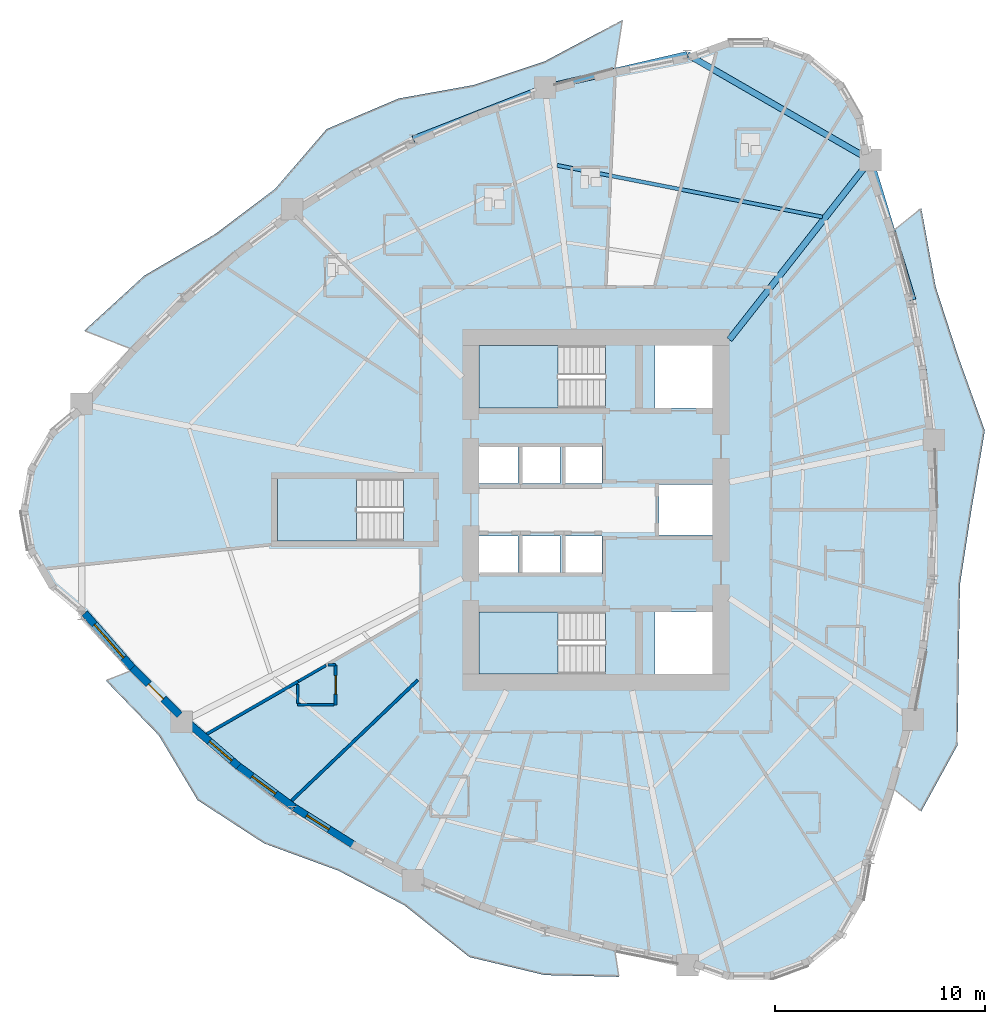
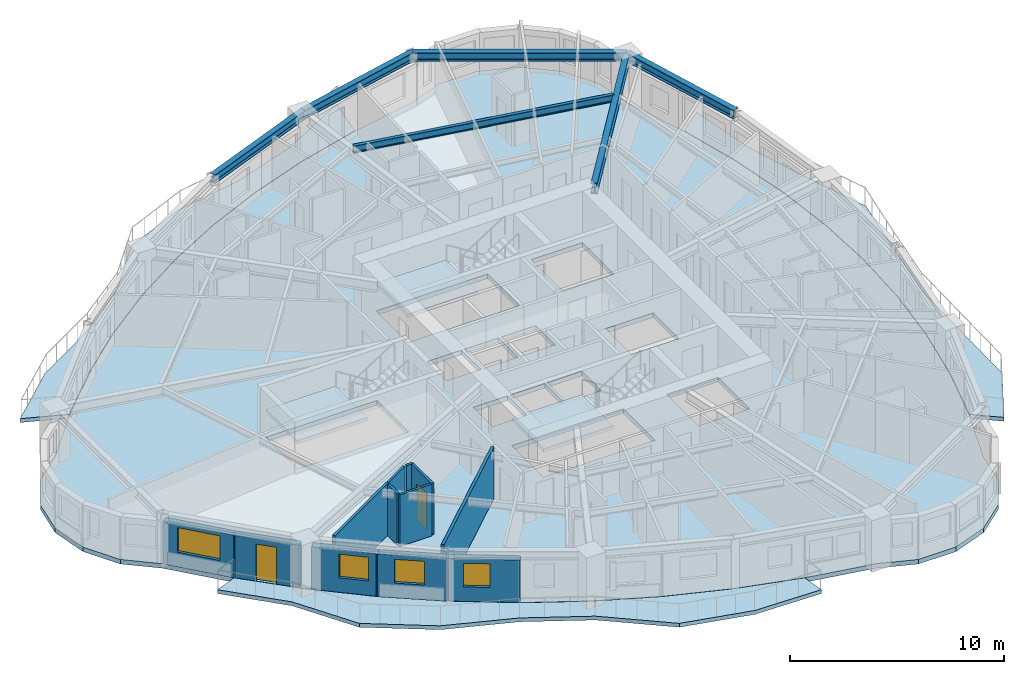
# One storey, part 2 of 14: 12 walls, 7 slabs, 6 beams, 4 windows, 2 doors, 6 openings, 3 elements without a shape of their own.
"""IFC4 building model written with IfcOpenShell, lengths in metres."""

from ifc_helpers import new_model, si_unit, direction, frame, frame_2d, origin, origin_2d, place, context, subcontext, project, spatial, polyline, rectangle, i_section, outline, extrude, source, transform, mapped, material, layer, layer_set, material_profile, profile_set, type_object, element, fill, aggregate, save


model = new_model("IFC4")

# Units and contexts
model_context = context("Model", 3, precision=1e-05, world=origin(), true_north=direction((0.0, 1.0)))
body_context = subcontext(model_context, "Body", "Model", "MODEL_VIEW")
ifc_project = project(units=[si_unit("LENGTHUNIT", "METRE"), si_unit("AREAUNIT", "SQUARE_METRE"), si_unit("VOLUMEUNIT", "CUBIC_METRE"), si_unit("PLANEANGLEUNIT", "RADIAN"), si_unit("MASSUNIT", "GRAM", prefix="KILO")], contexts=[model_context])

# Site, building, storey
site_placement = place(None, origin())
site = spatial("IfcSite", under=ifc_project, at=site_placement, CompositionType="ELEMENT")
building_placement = place(site_placement, origin())
building = spatial("IfcBuilding", under=site, at=building_placement, Name="Qafzar Sky-Pleat Residences", CompositionType="ELEMENT")
storey_placement = place(building_placement, frame((0.0, 0.0, 11.0)))
storey = spatial("IfcBuildingStorey", under=building, at=storey_placement, Name="L02", CompositionType="ELEMENT", Elevation=11.0)

# Beams
ifc_material_1 = material(Name="Steel S355", Category="steel")
ifc_material_profile_1 = material_profile(ifc_material_1, i_section(OverallWidth=0.300048828125, OverallDepth=0.5, WebThickness=0.014404296875, FlangeThickness=0.028076171875, FilletRadius=0.027099609375, at=origin_2d()), Name="HEB 500")
ifc_profile_set_1 = profile_set([ifc_material_profile_1], Name="Steel S355")
beam_type_1 = type_object("IfcBeamType", Name="BM-SPAN-HEB500", PredefinedType="SPANDREL", material=ifc_profile_set_1)
shared_shape_1 = source(origin(), body_context, "Body", "SweptSolid", [
    extrude(i_section(OverallWidth=0.300048828125, OverallDepth=0.5, WebThickness=0.014404296875, FlangeThickness=0.028076171875, FilletRadius=0.027099609375, at=origin_2d()), origin(), (0.0, 0.0, 1.0), 10.0458984375),
])
beam_1_placement = place(storey_placement, frame((43.39990234375, 42.627685546875, 2.68798828125), z_axis=(-0.866024107753, 0.500002244785, 0.0), x_axis=(-0.500002244785, -0.866024107753, 0.0)))
element("IfcBeam", 1, at=beam_1_placement, inside=storey, type_object=beam_type_1, Name="L02 Perimeter Spandrel Beam 13", PredefinedType="SPANDREL", context=body_context, shape_type="MappedRepresentation", body=[
    mapped(shared_shape_1, transform((0.0, 0.0, 0.0), x_axis=(1.0, 0.0, 0.0), y_axis=(0.0, 1.0, 0.0), z_axis=(0.0, 0.0, 1.0), scale=1.0)),
])
shared_shape_2 = source(origin(), body_context, "Body", "SweptSolid", [
    extrude(i_section(OverallWidth=0.300048828125, OverallDepth=0.5, WebThickness=0.014404296875, FlangeThickness=0.028076171875, FilletRadius=0.027099609375, at=origin_2d()), origin(), (0.0, 0.0, 1.0), 6.95166015625),
])
for number, where, z_axis, x_axis, name in (
    (2, (45.421875, 35.9765625, 2.68798828125), (-0.290861139852, 0.956765278072, 0.0), (-0.956765278072, -0.290861139852, 0.0), "L02 Perimeter Spandrel Beam 12"),
    (3, (34.699951171875, 47.650634765625, 2.68798828125), (-0.974013973113, -0.226487925024, 0.0), (0.226487925024, -0.974013973113, 0.0), "L02 Perimeter Spandrel Beam 14"),
):
    element("IfcBeam", number, at=place(storey_placement, frame(where, z_axis=z_axis, x_axis=x_axis)), inside=storey, type_object=beam_type_1, Name=name, PredefinedType="SPANDREL", context=body_context, shape_type="MappedRepresentation", body=[
        mapped(shared_shape_2, transform((0.0, 0.0, 0.0), x_axis=(1.0, 0.0, 0.0), y_axis=(0.0, 1.0, 0.0), z_axis=(0.0, 0.0, 1.0), scale=1.0)),
    ])
shared_shape_3 = source(origin(), body_context, "Body", "SweptSolid", [
    extrude(i_section(OverallWidth=0.300048828125, OverallDepth=0.5, WebThickness=0.014404296875, FlangeThickness=0.028076171875, FilletRadius=0.027099609375, at=origin_2d()), origin(), (0.0, 0.0, 1.0), 6.727294921875),
])
beam_2_placement = place(storey_placement, frame((27.928955078125, 46.076171875, 2.68798828125), z_axis=(-0.931329494162, -0.364177667222, 0.0), x_axis=(0.364177667222, -0.931329494162, 0.0)))
element("IfcBeam", 4, at=beam_2_placement, inside=storey, type_object=beam_type_1, Name="L02 Perimeter Spandrel Beam 15", PredefinedType="SPANDREL", context=body_context, shape_type="MappedRepresentation", body=[
    mapped(shared_shape_3, transform((0.0, 0.0, 0.0), x_axis=(1.0, 0.0, 0.0), y_axis=(0.0, 1.0, 0.0), z_axis=(0.0, 0.0, 1.0), scale=1.0)),
])
ifc_material_profile_2 = material_profile(ifc_material_1, i_section(OverallWidth=0.300048828125, OverallDepth=0.60009765625, WebThickness=0.015380859375, FlangeThickness=0.030029296875, FilletRadius=0.027099609375, at=origin_2d()), Name="HEB 600")
ifc_profile_set_2 = profile_set([ifc_material_profile_2], Name="Steel S355")
beam_type_2 = type_object("IfcBeamType", Name="BM-GIRD-HEB600", PredefinedType="BEAM", material=ifc_profile_set_2)
shared_shape_4 = source(origin(), body_context, "Body", "SweptSolid", [
    extrude(i_section(OverallWidth=0.300048828125, OverallDepth=0.60009765625, WebThickness=0.015380859375, FlangeThickness=0.030029296875, FilletRadius=0.027099609375, at=origin_2d()), origin(), (0.0, 0.0, 1.0), 10.85205078125),
])
beam_3_placement = place(storey_placement, frame((43.39990234375, 42.627685546875, 2.637939453125), z_axis=(-0.617389257857, -0.786657806344, 0.0), x_axis=(0.786657806344, -0.617389257857, 0.0)))
element("IfcBeam", 5, at=beam_3_placement, inside=storey, type_object=beam_type_2, Name="L02 Radial Floor Girder 13", PredefinedType="BEAM", context=body_context, shape_type="MappedRepresentation", body=[
    mapped(shared_shape_4, transform((0.0, 0.0, 0.0), x_axis=(1.0, 0.0, 0.0), y_axis=(0.0, 1.0, 0.0), z_axis=(0.0, 0.0, 1.0), scale=1.0)),
])
ifc_material_profile_3 = material_profile(ifc_material_1, i_section(OverallWidth=0.179931640625, OverallDepth=0.39990234375, WebThickness=0.008544921875, FlangeThickness=0.013427734375, FilletRadius=0.02099609375, at=origin_2d()), Name="IPE 400")
ifc_profile_set_3 = profile_set([ifc_material_profile_3], Name="Steel S355")
beam_type_3 = type_object("IfcBeamType", Name="BM-JST-IPE400", PredefinedType="JOIST", material=ifc_profile_set_3)
shared_shape_5 = source(origin(), body_context, "Body", "SweptSolid", [
    extrude(i_section(OverallWidth=0.179931640625, OverallDepth=0.39990234375, WebThickness=0.008544921875, FlangeThickness=0.013427734375, FilletRadius=0.02099609375, at=origin_2d()), origin(), (0.0, 0.0, 1.0), 12.85595703125),
])
beam_4_placement = place(storey_placement, frame((41.12353515625, 39.921630859375, 2.738037109375), z_axis=(-0.981577813366, 0.191062807233, 0.0), x_axis=(-0.191062807233, -0.981577813366, 0.0)))
element("IfcBeam", 6, at=beam_4_placement, inside=storey, type_object=beam_type_3, Name="L02 Outer Secondary Floor Joist 7", PredefinedType="JOIST", context=body_context, shape_type="MappedRepresentation", body=[
    mapped(shared_shape_5, transform((0.0, 0.0, 0.0), x_axis=(1.0, 0.0, 0.0), y_axis=(0.0, 1.0, 0.0), z_axis=(0.0, 0.0, 1.0), scale=1.0)),
])

# Slabs
ifc_material_2 = material(Name="Concrete C40/50", Category="concrete")
ifc_layer_1 = layer(ifc_material_2, 0.219970703125)
ifc_layer_set_1 = layer_set([ifc_layer_1], Name="Concrete C40/50")
slab_type_1 = type_object("IfcSlabType", Name="SLAB-BAL-220", PredefinedType="USERDEFINED", material=ifc_layer_set_1)
slab_1_placement = place(storey_placement, frame((0.0, 0.0, -0.219970703125)))
element("IfcSlab", 7, at=slab_1_placement, inside=storey, type_object=slab_type_1, Name="L02 Pleated Stone Balcony 1", ObjectType="BALCONY", PredefinedType="USERDEFINED", context=body_context, shape_type="SweptSolid", body=[
    extrude(outline(polyline([(45.432373046875, 16.017333984375), (46.065185546875, 19.3447265625), (46.444580078125, 22.67236328125), (46.5712890625, 26.0), (46.444580078125, 29.32763671875), (46.065185546875, 32.6552734375), (45.432373046875, 35.982666015625), (44.546630859375, 39.309814453125), (45.822998046875, 40.33642578125), (46.506591796875, 36.597900390625), (47.60205078125, 33.221435546875), (48.843994140625, 29.760498046875), (48.209228515625, 26.0), (47.6630859375, 22.45263671875), (47.60205078125, 18.778564453125), (47.548095703125, 14.805908203125), (45.822998046875, 11.66357421875), (44.546630859375, 12.690185546875), (45.432373046875, 16.017333984375)])), origin(), (0.0, 0.0, 1.0), 0.219970703125),
])
slab_2_placement = place(storey_placement, frame((0.0, 0.0, -0.219970703125)))
element("IfcSlab", 8, at=slab_2_placement, inside=storey, type_object=slab_type_1, Name="L02 Pleated Stone Balcony 2", ObjectType="BALCONY", PredefinedType="USERDEFINED", context=body_context, shape_type="SweptSolid", body=[
    extrude(outline(polyline([(27.928955078125, 46.088134765625), (24.731201171875, 44.972412109375), (21.659423828125, 43.637451171875), (18.71435546875, 42.083251953125), (15.89599609375, 40.309814453125), (13.203857421875, 38.317138671875), (10.638671875, 36.10546875), (8.2001953125, 33.675048828125), (6.02685546875, 34.517578125), (8.877197265625, 37.130859375), (12.25244140625, 39.109130859375), (15.09619140625, 41.2548828125), (17.549072265625, 44.101806640625), (20.97021484375, 45.55517578125), (24.52099609375, 46.1923828125), (27.924560546875, 47.326171875), (31.610107421875, 49.2880859375), (31.253173828125, 46.984619140625), (27.928955078125, 46.088134765625)])), origin(), (0.0, 0.0, 1.0), 0.219970703125),
])
slab_3_placement = place(storey_placement, frame((0.0, 0.0, -0.219970703125)))
element("IfcSlab", 9, at=slab_3_placement, inside=storey, type_object=slab_type_1, Name="L02 Pleated Stone Balcony 3", ObjectType="BALCONY", PredefinedType="USERDEFINED", context=body_context, shape_type="SweptSolid", body=[
    extrude(outline(polyline([(10.638671875, 15.89453125), (13.203857421875, 13.682861328125), (15.89599609375, 11.690185546875), (18.71435546875, 9.916748046875), (21.659423828125, 8.362548828125), (24.731201171875, 7.027587890625), (27.928955078125, 5.911865234375), (31.253173828125, 5.015380859375), (31.44287109375, 3.7919921875), (27.921875, 3.873779296875), (24.335205078125, 4.730712890625), (21.24072265625, 7.197509765625), (18.095458984375, 8.8447265625), (14.57958984375, 10.13427734375), (11.41259765625, 12.191650390625), (9.568603515625, 15.271728515625), (7.0458984375, 17.87744140625), (8.2001953125, 18.324951171875), (10.638671875, 15.89453125)])), origin(), (0.0, 0.0, 1.0), 0.219970703125),
])
ifc_layer_2 = layer(ifc_material_2, 0.260009765625)
ifc_layer_set_2 = layer_set([ifc_layer_2], Name="Concrete C40/50")
slab_type_2 = type_object("IfcSlabType", Name="SLAB-FLR-260", PredefinedType="FLOOR", material=ifc_layer_set_2)
slab_4_placement = place(storey_placement, frame((0.0, 0.0, -0.260009765625)))
element("IfcSlab", 10, at=slab_4_placement, inside=storey, type_object=slab_type_2, Name="L02 Structural Floor Slab", PredefinedType="FLOOR", context=body_context, shape_type="SweptSolid", body=[
    extrude(outline(polyline([(5.89990234375, 31.02294921875), (4.35693359375, 29.728271484375), (3.349853515625, 27.983642578125), (3.0, 26.0), (3.349853515625, 24.016357421875), (4.35693359375, 22.271728515625), (5.89990234375, 20.97705078125), (8.211181640625, 18.329345703125), (10.64892578125, 15.900390625), (13.213134765625, 13.6904296875), (15.903564453125, 11.699462890625), (18.720458984375, 9.92724609375), (21.66357421875, 8.373779296875), (24.733154296875, 7.039306640625), (27.928955078125, 5.923828125), (31.251220703125, 5.027099609375), (34.699951171875, 4.349365234375), (36.5927734375, 3.660400390625), (38.607177734375, 3.660400390625), (40.5, 4.349365234375), (42.043212890625, 5.64404296875), (43.05029296875, 7.388671875), (43.39990234375, 9.372314453125), (44.537353515625, 12.69775390625), (45.421875, 16.0234375), (46.0537109375, 19.348876953125), (46.432861328125, 22.674560546875), (46.559326171875, 26.0), (46.432861328125, 29.325439453125), (46.0537109375, 32.651123046875), (45.421875, 35.9765625), (44.537353515625, 39.30224609375), (43.39990234375, 42.627685546875), (43.05029296875, 44.611328125), (42.043212890625, 46.35595703125), (40.5, 47.650634765625), (38.607177734375, 48.339599609375), (36.5927734375, 48.339599609375), (34.699951171875, 47.650634765625), (31.251220703125, 46.972900390625), (27.928955078125, 46.076171875), (24.733154296875, 44.960693359375), (21.66357421875, 43.626220703125), (18.720458984375, 42.07275390625), (15.903564453125, 40.300537109375), (13.213134765625, 38.3095703125), (10.64892578125, 36.099609375), (8.211181640625, 33.670654296875), (5.89990234375, 31.02294921875)]), holes=[polyline([(30.797119140625, 21.14990234375), (24.800048828125, 21.14990234375), (24.800048828125, 18.199951171875), (30.797119140625, 18.199951171875), (30.797119140625, 21.14990234375)]), polyline([(30.797119140625, 33.800048828125), (24.800048828125, 33.800048828125), (24.800048828125, 30.85009765625), (30.797119140625, 30.85009765625), (30.797119140625, 33.800048828125)]), polyline([(21.197021484375, 27.47509765625), (15.199951171875, 27.47509765625), (15.199951171875, 24.52490234375), (21.197021484375, 24.52490234375), (21.197021484375, 27.47509765625)]), polyline([(24.800048828125, 22.949951171875), (26.64990234375, 22.949951171875), (26.64990234375, 24.75), (24.800048828125, 24.75), (24.800048828125, 22.949951171875)]), polyline([(26.800048828125, 22.949951171875), (28.64990234375, 22.949951171875), (28.64990234375, 24.75), (26.800048828125, 24.75), (26.800048828125, 22.949951171875)]), polyline([(28.800048828125, 22.949951171875), (30.64990234375, 22.949951171875), (30.64990234375, 24.75), (28.800048828125, 24.75), (28.800048828125, 22.949951171875)]), polyline([(24.800048828125, 27.25), (26.64990234375, 27.25), (26.64990234375, 29.050048828125), (24.800048828125, 29.050048828125), (24.800048828125, 27.25)]), polyline([(26.800048828125, 27.25), (28.64990234375, 27.25), (28.64990234375, 29.050048828125), (26.800048828125, 29.050048828125), (26.800048828125, 27.25)]), polyline([(28.800048828125, 27.25), (30.64990234375, 27.25), (30.64990234375, 29.050048828125), (28.800048828125, 29.050048828125), (28.800048828125, 27.25)]), polyline([(33.14990234375, 18.199951171875), (35.89990234375, 18.199951171875), (35.89990234375, 21.14990234375), (33.14990234375, 21.14990234375), (33.14990234375, 18.199951171875)]), polyline([(33.14990234375, 30.85009765625), (35.89990234375, 30.85009765625), (35.89990234375, 33.800048828125), (33.14990234375, 33.800048828125), (33.14990234375, 30.85009765625)]), polyline([(33.35009765625, 24.800048828125), (35.89990234375, 24.800048828125), (35.89990234375, 27.199951171875), (33.35009765625, 27.199951171875), (33.35009765625, 24.800048828125)])]), origin(), (0.0, 0.0, 1.0), 0.260009765625),
])

# Stair, slab
stair_type = type_object("IfcStairType", Name="STAIR-H320", PredefinedType="HALF_TURN_STAIR", material=ifc_material_2)
stair_1_placement = place(storey_placement, origin())
stair_1 = element("IfcStair", 11, at=stair_1_placement, inside=storey, type_object=stair_type, Name="L02 Protected Exit Stair ST1", PredefinedType="HALF_TURN_STAIR")
ifc_layer_3 = layer(ifc_material_2, 0.199951171875)
ifc_layer_set_3 = layer_set([ifc_layer_3], Name="Concrete C40/50")
slab_type_3 = type_object("IfcSlabType", Name="SLAB-LANDING-200", PredefinedType="LANDING", material=ifc_layer_set_3)
slab_5_placement = place(storey_placement, frame((0.0, 0.0, 1.39990234375)))
slab_5 = element("IfcSlab", 12, at=slab_5_placement, type_object=slab_type_3, Name="ST1 landing 1", PredefinedType="LANDING", context=body_context, shape_type="SweptSolid", body=[
    extrude(outline(polyline([(28.56005859375, 21.14990234375), (24.800048828125, 21.14990234375), (24.800048828125, 18.199951171875), (28.56005859375, 18.199951171875), (28.56005859375, 21.14990234375)])), origin(), (0.0, 0.0, 1.0), 0.2001953125),
])
aggregate(stair_1, [slab_5])

stair_2_placement = place(storey_placement, origin())
stair_2 = element("IfcStair", 13, at=stair_2_placement, inside=storey, type_object=stair_type, Name="L02 Protected Exit Stair ST2", PredefinedType="HALF_TURN_STAIR")
slab_6_placement = place(storey_placement, frame((0.0, 0.0, 1.39990234375)))
slab_6 = element("IfcSlab", 14, at=slab_6_placement, type_object=slab_type_3, Name="ST2 landing 1", PredefinedType="LANDING", context=body_context, shape_type="SweptSolid", body=[
    extrude(outline(polyline([(28.56005859375, 33.800048828125), (24.800048828125, 33.800048828125), (24.800048828125, 30.85009765625), (28.56005859375, 30.85009765625), (28.56005859375, 33.800048828125)])), origin(), (0.0, 0.0, 1.0), 0.2001953125),
])
aggregate(stair_2, [slab_6])

stair_3_placement = place(storey_placement, origin())
stair_3 = element("IfcStair", 15, at=stair_3_placement, inside=storey, type_object=stair_type, Name="L02 Protected Exit Stair ST3", PredefinedType="HALF_TURN_STAIR")
slab_7_placement = place(storey_placement, frame((0.0, 0.0, 1.39990234375)))
slab_7 = element("IfcSlab", 16, at=slab_7_placement, type_object=slab_type_3, Name="ST3 landing 1", PredefinedType="LANDING", context=body_context, shape_type="SweptSolid", body=[
    extrude(outline(polyline([(18.9599609375, 27.47509765625), (15.199951171875, 27.47509765625), (15.199951171875, 24.52490234375), (18.9599609375, 24.52490234375), (18.9599609375, 27.47509765625)])), origin(), (0.0, 0.0, 1.0), 0.2001953125),
])
aggregate(stair_3, [slab_7])

# Walls
ifc_material_3 = material(Name="Acoustic gypsum plasterboard partition", Category="gypsum")
ifc_layer_4 = layer(ifc_material_3, 0.14501953125)
ifc_layer_set_4 = layer_set([ifc_layer_4], Name="Acoustic gypsum plasterboard partition")
wall_type_1 = type_object("IfcWallType", Name="PART-UNIT-145", PredefinedType="PARTITIONING", material=ifc_layer_set_4)
wall_1_placement = place(storey_placement, frame((15.88818359375, 12.17138671875, 0.0), z_axis=(0.0, 0.0, 1.0), x_axis=(0.722733244608, 0.691127091886, 0.0)))
element("IfcWall", 17, at=wall_1_placement, inside=storey, type_object=wall_type_1, Name="L02 Partition Wall PART-L02-PW-047", PredefinedType="PARTITIONING", context=body_context, shape_type="SweptSolid", body=[
    extrude(rectangle(XDim=8.296142578125, YDim=0.14501953125, at=frame_2d((4.14794921875, 0.0))), origin(), (0.0, 0.0, 1.0), 2.93994140625),
])
wall_2_placement = place(storey_placement, frame((11.85107421875, 15.341552734375, 0.0), z_axis=(0.0, 0.0, 1.0), x_axis=(0.86649075999, 0.499193111784, 0.0)))
element("IfcWall", 18, at=wall_2_placement, inside=storey, type_object=wall_type_1, Name="L02 Partition Wall PART-L02-PW-057", PredefinedType="PARTITIONING", context=body_context, shape_type="SweptSolid", body=[
    extrude(rectangle(XDim=5.005126953125, YDim=0.14501953125, at=frame_2d((2.50244140625, 0.0))), origin(), (0.0, 0.0, 1.0), 2.93994140625),
])

# Wall, opening, door
ifc_material_4 = material(Name="Moisture-resistant gypsum partition", Category="gypsum")
ifc_layer_5 = layer(ifc_material_4, 0.1298828125)
ifc_layer_set_5 = layer_set([ifc_layer_5], Name="Moisture-resistant gypsum partition")
wall_type_2 = type_object("IfcWallType", Name="PART-WET-130", PredefinedType="PARTITIONING", material=ifc_layer_set_5)
wall_3_placement = place(storey_placement, frame((17.972900390625, 16.72509765625, 0.0), z_axis=(0.0, 0.0, 1.0), x_axis=(0.0, 1.0, 0.0)))
wall_3 = element("IfcWall", 19, at=wall_3_placement, inside=storey, type_object=wall_type_2, Name="L02 Partition Wall PART-L02-PW-032", PredefinedType="PARTITIONING", context=body_context, shape_type="SweptSolid", body=[
    extrude(rectangle(XDim=1.89990234375, YDim=0.1298828125, at=frame_2d((0.949951171875, 0.0))), origin(), (0.0, 0.0, 1.0), 2.93994140625),
])
opening_1_placement = place(wall_3_placement, frame((0.510009765625, 0.0, 0.0)))
opening_1 = element("IfcOpeningElement", 20, at=opening_1_placement, cuts=wall_3, Name="Opening ID-07", PredefinedType="OPENING", context=body_context, shape_type="SweptSolid", body=[
    extrude(rectangle(XDim=0.8798828125, YDim=2.050048828125, at=frame_2d((0.43994140625, 1.02490234375))), frame((0.0, 0.074951171875, 0.0), z_axis=(0.0, -1.0, 0.0), x_axis=(1.0, 0.0, 0.0)), (0.0, 0.0, 1.0), 0.14990234375),
])
ifc_material_5 = material(Name="Timber-faced fire door", Category="wood")
door_type_1 = type_object("IfcDoorType", Name="DR-WET-880", OperationType="NOTDEFINED", PredefinedType="DOOR", material=ifc_material_5)
shared_shape_6 = source(origin(), body_context, "Body", "SweptSolid", [
    extrude(rectangle(XDim=0.8798828125, YDim=2.050048828125, at=frame_2d((0.43994140625, 1.02490234375))), frame((0.0, 0.02490234375, 0.0), z_axis=(0.0, -1.0, 0.0), x_axis=(1.0, 0.0, 0.0)), (0.0, 0.0, 1.0), 0.050048828125),
])
door_1_placement = place(opening_1_placement, origin())
door_1 = element("IfcDoor", 21, at=door_1_placement, inside=storey, type_object=door_type_1, Name="L02 En-suite Bathroom 12 Door", OperationType="SINGLE_SWING_LEFT", OverallHeight=2.050048828125, OverallWidth=0.8798828125, PredefinedType="DOOR", context=body_context, shape_type="MappedRepresentation", body=[
    mapped(shared_shape_6, transform((0.0, 0.0, 0.0), x_axis=(1.0, 0.0, 0.0), y_axis=(0.0, 1.0, 0.0), z_axis=(0.0, 0.0, 1.0), scale=1.0)),
])
fill(opening_1, door_1)

# Walls
wall_4_placement = place(storey_placement, frame((16.173095703125, 16.72509765625, 0.0), z_axis=(0.0, 0.0, 1.0), x_axis=(1.0, 0.0, 0.0)))
element("IfcWall", 22, at=wall_4_placement, inside=storey, type_object=wall_type_2, Name="L02 Partition Wall PART-L02-PW-084", PredefinedType="PARTITIONING", context=body_context, shape_type="SweptSolid", body=[
    extrude(rectangle(XDim=1.726806640625, YDim=0.1298828125, at=frame_2d((0.86328125, 0.0))), origin(), (0.0, 0.0, 1.0), 2.93994140625),
])
wall_5_placement = place(storey_placement, frame((16.200927734375, 17.84765625, 0.0), z_axis=(0.0, 0.0, 1.0), x_axis=(0.866448907576, 0.49926575144, 0.0)))
element("IfcWall", 23, at=wall_5_placement, inside=storey, type_object=wall_type_2, Name="L02 Partition Wall PART-L02-PW-098", PredefinedType="PARTITIONING", context=body_context, shape_type="SweptSolid", body=[
    extrude(rectangle(XDim=1.511962890625, YDim=0.1298828125, at=frame_2d((0.755859375, 0.0))), origin(), (0.0, 0.0, 1.0), 2.93994140625),
])
wall_6_placement = place(storey_placement, frame((16.173095703125, 16.798095703125, 0.0), z_axis=(0.0, 0.0, 1.0), x_axis=(0.0, 1.0, 0.0)))
element("IfcWall", 24, at=wall_6_placement, inside=storey, type_object=wall_type_2, Name="L02 Partition Wall PART-L02-PW-106", PredefinedType="PARTITIONING", context=body_context, shape_type="SweptSolid", body=[
    extrude(rectangle(XDim=0.90478515625, YDim=0.1298828125, at=frame_2d((0.452392578125, 0.0))), origin(), (0.0, 0.0, 1.0), 2.93994140625),
])
wall_7_placement = place(storey_placement, frame((17.623046875, 18.625, 0.0), z_axis=(0.0, 0.0, 1.0), x_axis=(1.0, 0.0, 0.0)))
element("IfcWall", 25, at=wall_7_placement, inside=storey, type_object=wall_type_2, Name="L02 Partition Wall PART-L02-PW-118", PredefinedType="PARTITIONING", context=body_context, shape_type="SweptSolid", body=[
    extrude(rectangle(XDim=0.349853515625, YDim=0.1298828125, at=frame_2d((0.1748046875, 0.0))), origin(), (0.0, 0.0, 1.0), 2.93994140625),
])

# Wall, opening, window
ifc_material_6 = material(Name="Precast concrete C40/50 with honed Riyadh limestone", Category="concrete")
ifc_layer_6 = layer(ifc_material_6, 0.35009765625)
ifc_layer_set_6 = layer_set([ifc_layer_6], Name="Precast concrete C40/50 with honed Riyadh limestone")
wall_type_3 = type_object("IfcWallType", Name="WALL-EXT-350", PredefinedType="SOLIDWALL", material=ifc_layer_set_6)
wall_8_placement = place(storey_placement, frame((6.044921875, 21.0771484375, 0.0), z_axis=(0.0, 0.0, 1.0), x_axis=(0.657628390725, -0.753342485004, 0.0)))
wall_8 = element("IfcWall", 26, at=wall_8_placement, inside=storey, type_object=wall_type_3, Name="L02 Limestone Facade Wall 7", PredefinedType="SOLIDWALL", context=body_context, shape_type="SweptSolid", body=[
    extrude(rectangle(XDim=3.53271484375, YDim=0.35009765625, at=frame_2d((1.766357421875, 0.0))), origin(), (0.0, 0.0, 1.0), 2.419921875),
])
opening_2_placement = place(wall_8_placement, frame((0.706298828125, 0.0, 0.820068359375)))
opening_2 = element("IfcOpeningElement", 27, at=opening_2_placement, cuts=wall_8, Name="Opening WN-07", PredefinedType="OPENING", context=body_context, shape_type="SweptSolid", body=[
    extrude(rectangle(XDim=2.10009765625, YDim=1.39990234375, at=frame_2d((1.050048828125, 0.699951171875))), frame((0.0, 0.18505859375, 0.0), z_axis=(0.0, -1.0, 0.0), x_axis=(1.0, 0.0, 0.0)), (0.0, 0.0, 1.0), 0.3701171875),
])
ifc_material_7 = material(Name="Solar-control low-E glass in bronze aluminium frame", Category="glass")
window_type_1 = type_object("IfcWindowType", Name="WIN-07", PartitioningType="DOUBLE_PANEL_VERTICAL", PredefinedType="WINDOW", material=ifc_material_7)
shared_shape_7 = source(origin(), body_context, "Body", "SweptSolid", [
    extrude(rectangle(XDim=2.10009765625, YDim=1.39990234375, at=frame_2d((1.050048828125, 0.699951171875))), frame((0.0, 0.030029296875, 0.0), z_axis=(0.0, -1.0, 0.0), x_axis=(1.0, 0.0, 0.0)), (0.0, 0.0, 1.0), 0.06005859375),
])
window_1_placement = place(opening_2_placement, origin())
window_1 = element("IfcWindow", 28, at=window_1_placement, inside=storey, type_object=window_type_1, Name="L02 Punched Facade Window 07", OverallHeight=1.39990234375, OverallWidth=2.10009765625, PartitioningType="SINGLE_PANEL", PredefinedType="WINDOW", context=body_context, shape_type="MappedRepresentation", body=[
    mapped(shared_shape_7, transform((0.0, 0.0, 0.0), x_axis=(1.0, 0.0, 0.0), y_axis=(0.0, 1.0, 0.0), z_axis=(0.0, 0.0, 1.0), scale=1.0)),
])
fill(opening_2, window_1)

# Wall, opening, door
wall_9_placement = place(storey_placement, frame((8.307861328125, 18.47998046875, 0.0), z_axis=(0.0, 0.0, 1.0), x_axis=(0.708411049028, -0.705800103156, 0.0)))
wall_9 = element("IfcWall", 29, at=wall_9_placement, inside=storey, type_object=wall_type_3, Name="L02 Limestone Facade Wall 8", PredefinedType="SOLIDWALL", context=body_context, shape_type="SweptSolid", body=[
    extrude(rectangle(XDim=3.17919921875, YDim=0.35009765625, at=frame_2d((1.589599609375, 0.0))), origin(), (0.0, 0.0, 1.0), 2.419921875),
])
opening_3_placement = place(wall_9_placement, frame((1.089599609375, 0.0, 0.0)))
opening_3 = element("IfcOpeningElement", 30, at=opening_3_placement, cuts=wall_9, Name="Opening ED-05", PredefinedType="OPENING", context=body_context, shape_type="SweptSolid", body=[
    extrude(rectangle(XDim=1.0, YDim=2.10009765625, at=frame_2d((0.5, 1.050048828125))), frame((0.0, 0.18505859375, 0.0), z_axis=(0.0, -1.0, 0.0), x_axis=(1.0, 0.0, 0.0)), (0.0, 0.0, 1.0), 0.3701171875),
])
ifc_material_8 = material(Name="Glazed bronze aluminium door", Category="aluminium")
door_type_2 = type_object("IfcDoorType", Name="DR-BAL-1000", OperationType="NOTDEFINED", PredefinedType="DOOR", material=ifc_material_8)
shared_shape_8 = source(origin(), body_context, "Body", "SweptSolid", [
    extrude(rectangle(XDim=1.0, YDim=2.10009765625, at=frame_2d((0.5, 1.050048828125))), frame((0.0, 0.02490234375, 0.0), z_axis=(0.0, -1.0, 0.0), x_axis=(1.0, 0.0, 0.0)), (0.0, 0.0, 1.0), 0.050048828125),
])
door_2_placement = place(opening_3_placement, origin())
door_2 = element("IfcDoor", 31, at=door_2_placement, inside=storey, type_object=door_type_2, Name="L02 Glazed Balcony Door 3", OperationType="SINGLE_SWING_LEFT", OverallHeight=2.10009765625, OverallWidth=1.0, PredefinedType="DOOR", context=body_context, shape_type="MappedRepresentation", body=[
    mapped(shared_shape_8, transform((0.0, 0.0, 0.0), x_axis=(1.0, 0.0, 0.0), y_axis=(0.0, 1.0, 0.0), z_axis=(0.0, 0.0, 1.0), scale=1.0)),
])
fill(opening_3, door_2)

# Wall, opening, window
wall_10_placement = place(storey_placement, frame((10.990478515625, 15.837158203125, 0.0), z_axis=(0.0, 0.0, 1.0), x_axis=(0.757465946779, -0.652874673632, 0.0)))
wall_10 = element("IfcWall", 32, at=wall_10_placement, inside=storey, type_object=wall_type_3, Name="L02 Limestone Facade Wall 9", PredefinedType="SOLIDWALL", context=body_context, shape_type="SweptSolid", body=[
    extrude(rectangle(XDim=3.123291015625, YDim=0.35009765625, at=frame_2d((1.5615234375, 0.0))), origin(), (0.0, 0.0, 1.0), 2.419921875),
])
opening_4_placement = place(wall_10_placement, frame((1.305419921875, 0.0, 0.820068359375)))
opening_4 = element("IfcOpeningElement", 33, at=opening_4_placement, cuts=wall_10, Name="Opening WN-10", PredefinedType="OPENING", context=body_context, shape_type="SweptSolid", body=[
    extrude(rectangle(XDim=1.39990234375, YDim=1.35009765625, at=frame_2d((0.699951171875, 0.675048828125))), frame((0.0, 0.18505859375, 0.0), z_axis=(0.0, -1.0, 0.0), x_axis=(1.0, 0.0, 0.0)), (0.0, 0.0, 1.0), 0.3701171875),
])
window_type_2 = type_object("IfcWindowType", Name="WIN-10", PartitioningType="SINGLE_PANEL", PredefinedType="WINDOW", material=ifc_material_7)
shared_shape_9 = source(origin(), body_context, "Body", "SweptSolid", [
    extrude(rectangle(XDim=1.39990234375, YDim=1.35009765625, at=frame_2d((0.699951171875, 0.675048828125))), frame((0.0, 0.030029296875, 0.0), z_axis=(0.0, -1.0, 0.0), x_axis=(1.0, 0.0, 0.0)), (0.0, 0.0, 1.0), 0.06005859375),
])
window_2_placement = place(opening_4_placement, origin())
window_2 = element("IfcWindow", 34, at=window_2_placement, inside=storey, type_object=window_type_2, Name="L02 Punched Facade Window 09-2", OverallHeight=1.35009765625, OverallWidth=1.39990234375, PartitioningType="SINGLE_PANEL", PredefinedType="WINDOW", context=body_context, shape_type="MappedRepresentation", body=[
    mapped(shared_shape_9, transform((0.0, 0.0, 0.0), x_axis=(1.0, 0.0, 0.0), y_axis=(0.0, 1.0, 0.0), z_axis=(0.0, 0.0, 1.0), scale=1.0)),
])
fill(opening_4, window_2)

wall_11_placement = place(storey_placement, frame((13.28662109375, 13.853759765625, 0.0), z_axis=(0.0, 0.0, 1.0), x_axis=(0.803848837202, -0.594833629622, 0.0)))
wall_11 = element("IfcWall", 35, at=wall_11_placement, inside=storey, type_object=wall_type_3, Name="L02 Limestone Facade Wall 10", PredefinedType="SOLIDWALL", context=body_context, shape_type="SweptSolid", body=[
    extrude(rectangle(XDim=3.365234375, YDim=0.35009765625, at=frame_2d((1.6826171875, 0.0))), origin(), (0.0, 0.0, 1.0), 2.419921875),
])
opening_5_placement = place(wall_11_placement, frame((0.88330078125, 0.0, 0.820068359375)))
opening_5 = element("IfcOpeningElement", 36, at=opening_5_placement, cuts=wall_11, Name="Opening WN-10", PredefinedType="OPENING", context=body_context, shape_type="SweptSolid", body=[
    extrude(rectangle(XDim=1.39990234375, YDim=1.35009765625, at=frame_2d((0.699951171875, 0.675048828125))), frame((0.0, 0.18505859375, 0.0), z_axis=(0.0, -1.0, 0.0), x_axis=(1.0, 0.0, 0.0)), (0.0, 0.0, 1.0), 0.3701171875),
])
window_3_placement = place(opening_5_placement, origin())
window_3 = element("IfcWindow", 37, at=window_3_placement, inside=storey, type_object=window_type_2, Name="L02 Punched Facade Window 10", OverallHeight=1.35009765625, OverallWidth=1.39990234375, PartitioningType="SINGLE_PANEL", PredefinedType="WINDOW", context=body_context, shape_type="MappedRepresentation", body=[
    mapped(shared_shape_9, transform((0.0, 0.0, 0.0), x_axis=(1.0, 0.0, 0.0), y_axis=(0.0, 1.0, 0.0), z_axis=(0.0, 0.0, 1.0), scale=1.0)),
])
fill(opening_5, window_3)

wall_12_placement = place(storey_placement, frame((16.013671875, 11.8369140625, 0.0), z_axis=(0.0, 0.0, 1.0), x_axis=(0.846420438233, -0.532515203295, 0.0)))
wall_12 = element("IfcWall", 38, at=wall_12_placement, inside=storey, type_object=wall_type_3, Name="L02 Limestone Facade Wall 11", PredefinedType="SOLIDWALL", context=body_context, shape_type="SweptSolid", body=[
    extrude(rectangle(XDim=3.345947265625, YDim=0.35009765625, at=frame_2d((1.6728515625, 0.0))), origin(), (0.0, 0.0, 1.0), 2.419921875),
])
opening_6_placement = place(wall_12_placement, frame((0.6923828125, 0.0, 0.820068359375)))
opening_6 = element("IfcOpeningElement", 39, at=opening_6_placement, cuts=wall_12, Name="Opening WN-11", PredefinedType="OPENING", context=body_context, shape_type="SweptSolid", body=[
    extrude(rectangle(XDim=1.25, YDim=1.35009765625, at=frame_2d((0.625, 0.675048828125))), frame((0.0, 0.18505859375, 0.0), z_axis=(0.0, -1.0, 0.0), x_axis=(1.0, 0.0, 0.0)), (0.0, 0.0, 1.0), 0.3701171875),
])
window_type_3 = type_object("IfcWindowType", Name="WIN-11", PartitioningType="SINGLE_PANEL", PredefinedType="WINDOW", material=ifc_material_7)
shared_shape_10 = source(origin(), body_context, "Body", "SweptSolid", [
    extrude(rectangle(XDim=1.25, YDim=1.35009765625, at=frame_2d((0.625, 0.675048828125))), frame((0.0, 0.030029296875, 0.0), z_axis=(0.0, -1.0, 0.0), x_axis=(1.0, 0.0, 0.0)), (0.0, 0.0, 1.0), 0.06005859375),
])
window_4_placement = place(opening_6_placement, origin())
window_4 = element("IfcWindow", 40, at=window_4_placement, inside=storey, type_object=window_type_3, Name="L02 Punched Facade Window 11", OverallHeight=1.35009765625, OverallWidth=1.25, PartitioningType="SINGLE_PANEL", PredefinedType="WINDOW", context=body_context, shape_type="MappedRepresentation", body=[
    mapped(shared_shape_10, transform((0.0, 0.0, 0.0), x_axis=(1.0, 0.0, 0.0), y_axis=(0.0, 1.0, 0.0), z_axis=(0.0, 0.0, 1.0), scale=1.0)),
])
fill(opening_6, window_4)

save(model, "model.ifc")
